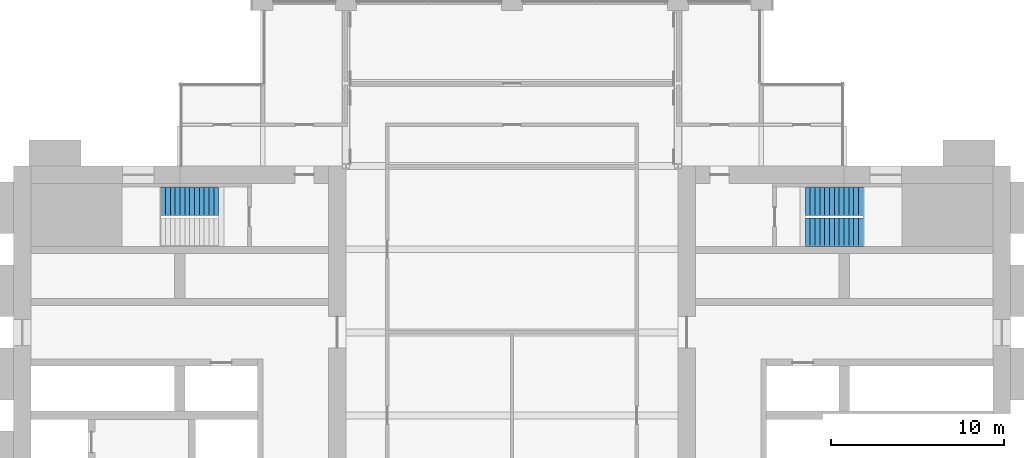
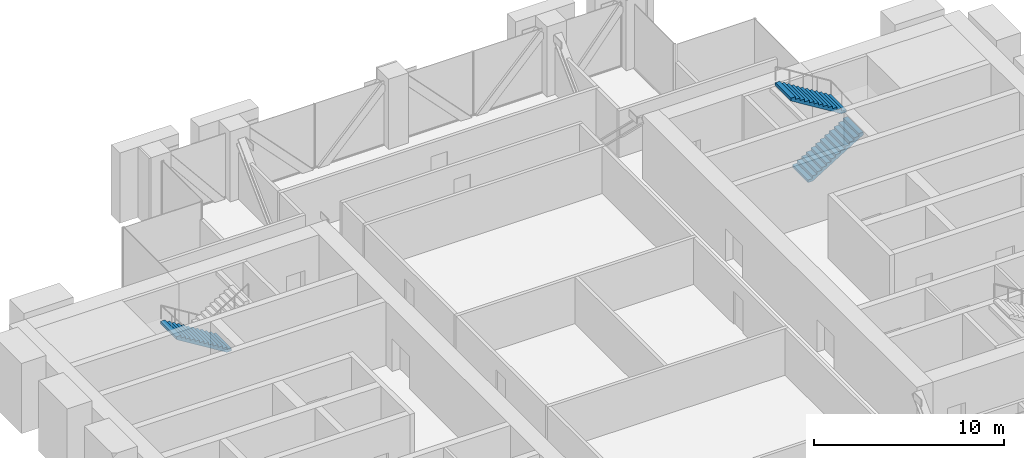
# One storey, part 13 of 14: 3 stair flights, 2 elements without a shape of their own.
"""IFC4 building model written with IfcOpenShell, lengths in metres."""

from ifc_helpers import new_model, si_unit, direction, frame, origin, place, context, subcontext, project, spatial, polyline, outline, extrude, material, type_object, element, aggregate, save


model = new_model("IFC4")

# Units and contexts
model_context = context("Model", 3, precision=1e-05, world=origin(), true_north=direction((0.0, 1.0)))
body_context = subcontext(model_context, "Body", "Model", "MODEL_VIEW")
ifc_project = project(units=[si_unit("LENGTHUNIT", "METRE"), si_unit("AREAUNIT", "SQUARE_METRE"), si_unit("VOLUMEUNIT", "CUBIC_METRE"), si_unit("PLANEANGLEUNIT", "RADIAN"), si_unit("MASSUNIT", "GRAM", prefix="KILO")], contexts=[model_context])

# Site, building, storey
site_placement = place(None, origin())
site = spatial("IfcSite", under=ifc_project, at=site_placement, CompositionType="ELEMENT")
building_placement = place(site_placement, origin())
building = spatial("IfcBuilding", under=site, at=building_placement, Name="Baori Bourse Tower", CompositionType="ELEMENT")
storey_placement = place(building_placement, frame((0.0, 0.0, 176.10009765625)))
storey = spatial("IfcBuildingStorey", under=building, at=storey_placement, Name="L39", CompositionType="ELEMENT", Elevation=176.10009765625)

# Stair, stair flight
ifc_material_1 = material(Name="Concrete f'c 50 MPa", Category="concrete")
stair_type = type_object("IfcStairType", Name="Core stair", PredefinedType="HALF_TURN_STAIR", material=ifc_material_1)
stair_1_placement = place(storey_placement, origin())
stair_1 = element("IfcStair", 1, at=stair_1_placement, inside=storey, type_object=stair_type, Name="L39 Stair WB", PredefinedType="HALF_TURN_STAIR")
ifc_material_2 = material(Name="Concrete f'c 50 MPa", Category="concrete")
stair_flight_type = type_object("IfcStairFlightType", Name="Core stair flight", PredefinedType="STRAIGHT", material=ifc_material_2)
stair_flight_1_placement = place(storey_placement, frame((11.85009765625, 36.375, 0.0), z_axis=(0.0, 0.0, 1.0), x_axis=(-1.0, 0.0, 0.0)))
stair_flight_1 = element("IfcStairFlight", 2, at=stair_flight_1_placement, type_object=stair_flight_type, Name="ST2 flight 1", NumberOfRisers=13, NumberOfTreads=12, PredefinedType="STRAIGHT", RiserHeight=0.173076923, TreadLength=0.28, context=body_context, shape_type="SweptSolid", body=[
    extrude(outline(polyline([(0.0, 0.0), (0.0, 0.173095703125), (0.280029296875, 0.173095703125), (0.280029296875, 0.34619140625), (0.56005859375, 0.34619140625), (0.56005859375, 0.519287109375), (0.840087890625, 0.519287109375), (0.840087890625, 0.6923828125), (1.1201171875, 0.6923828125), (1.1201171875, 0.865478515625), (1.39990234375, 0.865478515625), (1.39990234375, 1.03857421875), (1.679931640625, 1.03857421875), (1.679931640625, 1.21142578125), (1.9599609375, 1.21142578125), (1.9599609375, 1.384521484375), (2.239990234375, 1.384521484375), (2.239990234375, 1.5576171875), (2.52001953125, 1.5576171875), (2.52001953125, 1.730712890625), (2.800048828125, 1.730712890625), (2.800048828125, 1.90380859375), (3.080078125, 1.90380859375), (3.080078125, 2.076904296875), (3.360107421875, 2.076904296875), (3.360107421875, 2.25), (3.360107421875, 1.900634765625), (0.28515625, 0.0), (0.0, 0.0)])), frame((0.0, 0.824951171875, 0.0), z_axis=(0.0, -1.0, 0.0), x_axis=(1.0, 0.0, 0.0)), (0.0, 0.0, 1.0), 1.64990234375),
])
aggregate(stair_1, [stair_flight_1])

# Stair, stair flights
stair_2_placement = place(storey_placement, origin())
stair_2 = element("IfcStair", 3, at=stair_2_placement, inside=storey, type_object=stair_type, Name="L39 Stair EB", PredefinedType="HALF_TURN_STAIR")
stair_flight_2_placement = place(storey_placement, frame((45.75, 34.574951171875, 0.0), z_axis=(0.0, 0.0, 1.0), x_axis=(1.0, 0.0, 0.0)))
stair_flight_2 = element("IfcStairFlight", 4, at=stair_flight_2_placement, type_object=stair_flight_type, Name="ST4 flight 1", NumberOfRisers=13, NumberOfTreads=12, PredefinedType="STRAIGHT", RiserHeight=0.173076923, TreadLength=0.28, context=body_context, shape_type="SweptSolid", body=[
    extrude(outline(polyline([(0.0, 0.0), (0.0, 0.173095703125), (0.280029296875, 0.173095703125), (0.280029296875, 0.34619140625), (0.56005859375, 0.34619140625), (0.56005859375, 0.519287109375), (0.840087890625, 0.519287109375), (0.840087890625, 0.6923828125), (1.1201171875, 0.6923828125), (1.1201171875, 0.865478515625), (1.39990234375, 0.865478515625), (1.39990234375, 1.03857421875), (1.679931640625, 1.03857421875), (1.679931640625, 1.21142578125), (1.9599609375, 1.21142578125), (1.9599609375, 1.384521484375), (2.239990234375, 1.384521484375), (2.239990234375, 1.5576171875), (2.52001953125, 1.5576171875), (2.52001953125, 1.730712890625), (2.800048828125, 1.730712890625), (2.800048828125, 1.90380859375), (3.080078125, 1.90380859375), (3.080078125, 2.076904296875), (3.360107421875, 2.076904296875), (3.360107421875, 2.25), (3.360107421875, 1.900634765625), (0.28515625, 0.0), (0.0, 0.0)])), frame((0.0, 0.824951171875, 0.0), z_axis=(0.0, -1.0, 0.0), x_axis=(1.0, 0.0, 0.0)), (0.0, 0.0, 1.0), 1.64990234375),
])
stair_flight_3_placement = place(storey_placement, frame((49.110107421875, 36.375, 2.25), z_axis=(0.0, 0.0, 1.0), x_axis=(-1.0, 0.0, 0.0)))
stair_flight_3 = element("IfcStairFlight", 5, at=stair_flight_3_placement, type_object=stair_flight_type, Name="ST4 flight 2", NumberOfRisers=13, NumberOfTreads=12, PredefinedType="STRAIGHT", RiserHeight=0.173076923, TreadLength=0.28, context=body_context, shape_type="SweptSolid", body=[
    extrude(outline(polyline([(0.0, 0.0), (0.0, 0.173095703125), (0.280029296875, 0.173095703125), (0.280029296875, 0.34619140625), (0.56005859375, 0.34619140625), (0.56005859375, 0.519287109375), (0.840087890625, 0.519287109375), (0.840087890625, 0.6923828125), (1.1201171875, 0.6923828125), (1.1201171875, 0.865478515625), (1.39990234375, 0.865478515625), (1.39990234375, 1.03857421875), (1.679931640625, 1.03857421875), (1.679931640625, 1.21142578125), (1.9599609375, 1.21142578125), (1.9599609375, 1.384521484375), (2.239990234375, 1.384521484375), (2.239990234375, 1.5576171875), (2.52001953125, 1.5576171875), (2.52001953125, 1.730712890625), (2.800048828125, 1.730712890625), (2.800048828125, 1.90380859375), (3.080078125, 1.90380859375), (3.080078125, 2.076904296875), (3.360107421875, 2.076904296875), (3.360107421875, 2.25), (3.360107421875, 1.900634765625), (0.28515625, 0.0), (0.0, 0.0)])), frame((0.0, 0.824951171875, 0.0), z_axis=(0.0, -1.0, 0.0), x_axis=(1.0, 0.0, 0.0)), (0.0, 0.0, 1.0), 1.64990234375),
])
aggregate(stair_2, [stair_flight_2, stair_flight_3])

save(model, "model.ifc")
